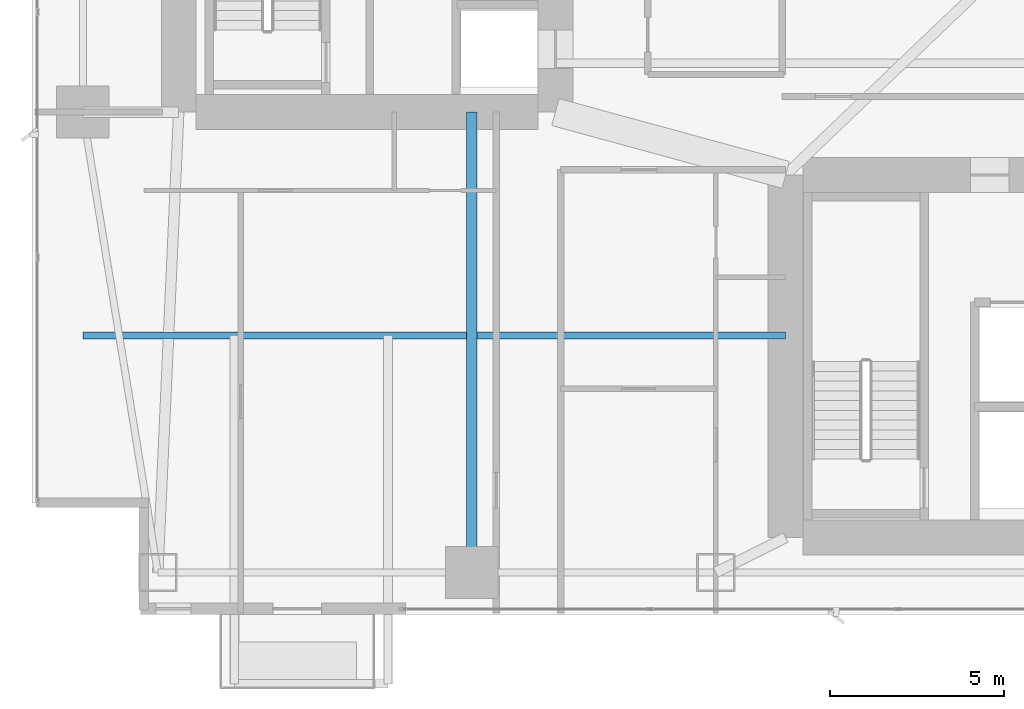
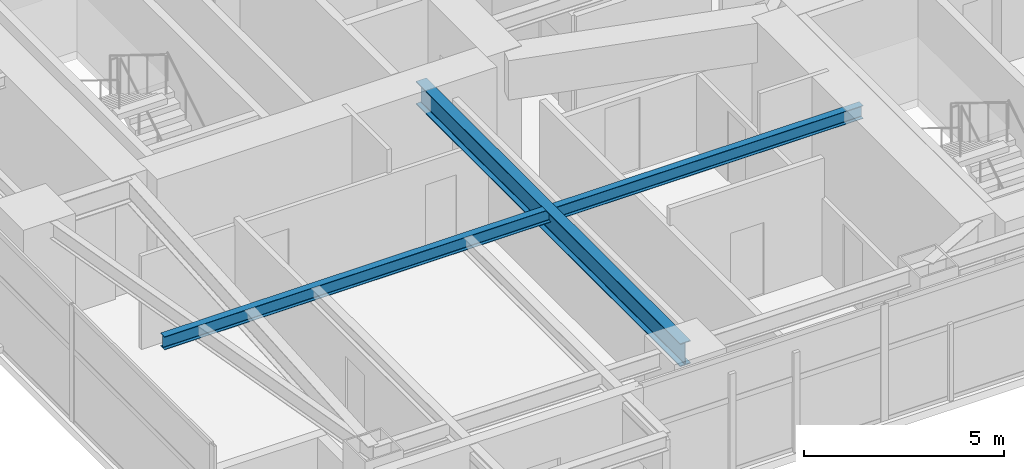
# One storey, part 5 of 30: 2 beams.
"""IFC4 building model written with IfcOpenShell, lengths in metres."""

from ifc_helpers import new_model, si_unit, direction, frame, origin, origin_2d, place, context, subcontext, project, spatial, i_section, extrude, material, material_profile, profile_set, type_object, element, save


model = new_model("IFC4")

# Units and contexts
model_context = context("Model", 3, precision=1e-05, world=origin(), true_north=direction((0.0, 1.0)))
body_context = subcontext(model_context, "Body", "Model", "MODEL_VIEW")
ifc_project = project(units=[si_unit("LENGTHUNIT", "METRE"), si_unit("AREAUNIT", "SQUARE_METRE"), si_unit("VOLUMEUNIT", "CUBIC_METRE"), si_unit("PLANEANGLEUNIT", "RADIAN"), si_unit("MASSUNIT", "GRAM", prefix="KILO")], contexts=[model_context])

# Site, building, storey
site_placement = place(None, origin())
site = spatial("IfcSite", under=ifc_project, at=site_placement, CompositionType="ELEMENT")
building_placement = place(site_placement, origin())
building = spatial("IfcBuilding", under=site, at=building_placement, Name="Calvorn Quay Hotel", CompositionType="ELEMENT")
storey_placement = place(building_placement, frame((0.0, 0.0, 54.60009765625)))
storey = spatial("IfcBuildingStorey", under=building, at=storey_placement, Name="L12", CompositionType="ELEMENT", Elevation=54.60009765625)

# Beams
ifc_material_1 = material(Name="Steel Q390GJC", Category="steel")
ifc_material_profile_1 = material_profile(ifc_material_1, i_section(OverallWidth=0.300048828125, OverallDepth=0.699951171875, WebThickness=0.012939453125, FlangeThickness=0.02392578125, FilletRadius=0.02392578125, at=origin_2d()), Name="HN700x300x13x24")
ifc_profile_set_1 = profile_set([ifc_material_profile_1], Name="Steel Q390GJC")
beam_type_1 = type_object("IfcBeamType", Name="BM-GIRD-MAIN", PredefinedType="BEAM", material=ifc_profile_set_1)
beam_1_placement = place(storey_placement, frame((12.60009765625, 3.60009765625, 3.18994140625), z_axis=(0.0, 1.0, 0.0), x_axis=(-1.0, 0.0, 0.0)))
element("IfcBeam", 1, at=beam_1_placement, inside=storey, type_object=beam_type_1, Name="Beam BG-L12-S1", PredefinedType="BEAM", context=body_context, shape_type="SweptSolid", body=[
    extrude(i_section(OverallWidth=0.300048828125, OverallDepth=0.699951171875, WebThickness=0.012939453125, FlangeThickness=0.02392578125, FilletRadius=0.02392578125, at=origin_2d()), origin(), (0.0, 0.0, 1.0), 13.199951171875),
])
ifc_material_2 = material(Name="Steel Q355B", Category="steel")
ifc_material_profile_2 = material_profile(ifc_material_2, i_section(OverallWidth=0.199951171875, OverallDepth=0.39990234375, WebThickness=0.008056640625, FlangeThickness=0.012939453125, FilletRadius=0.01611328125, at=origin_2d()), Name="HN400x200x8x13")
ifc_profile_set_2 = profile_set([ifc_material_profile_2], Name="Steel Q355B")
beam_type_2 = type_object("IfcBeamType", Name="BM-JOIST-TYP", PredefinedType="JOIST", material=ifc_profile_set_2)
beam_2_placement = place(storey_placement, frame((1.449951171875, 10.39990234375, 3.33984375), z_axis=(1.0, 0.0, 0.0), x_axis=(0.0, 1.0, 0.0)))
element("IfcBeam", 2, at=beam_2_placement, inside=storey, type_object=beam_type_2, Name="Beam BJ-L12-W1", PredefinedType="JOIST", context=body_context, shape_type="SweptSolid", body=[
    extrude(i_section(OverallWidth=0.199951171875, OverallDepth=0.39990234375, WebThickness=0.008056640625, FlangeThickness=0.012939453125, FilletRadius=0.01611328125, at=origin_2d()), origin(), (0.0, 0.0, 1.0), 20.150146484375),
])

save(model, "model.ifc")
